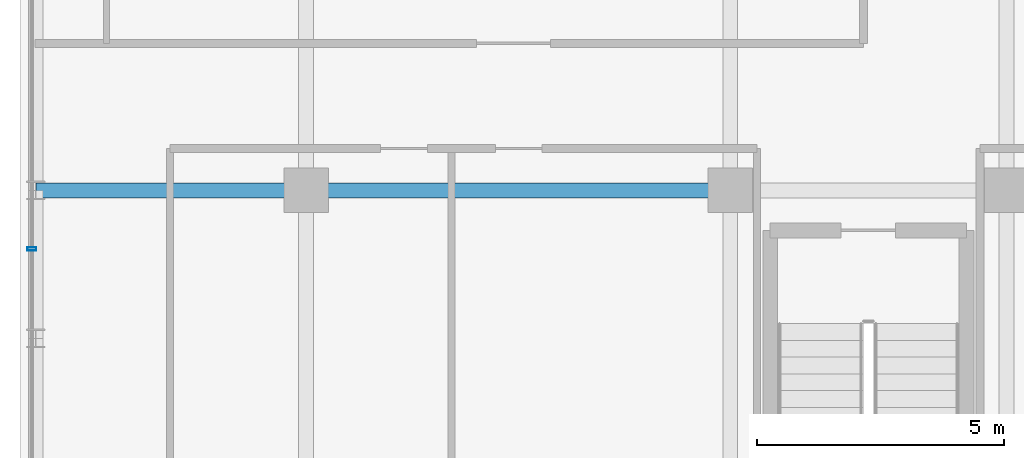
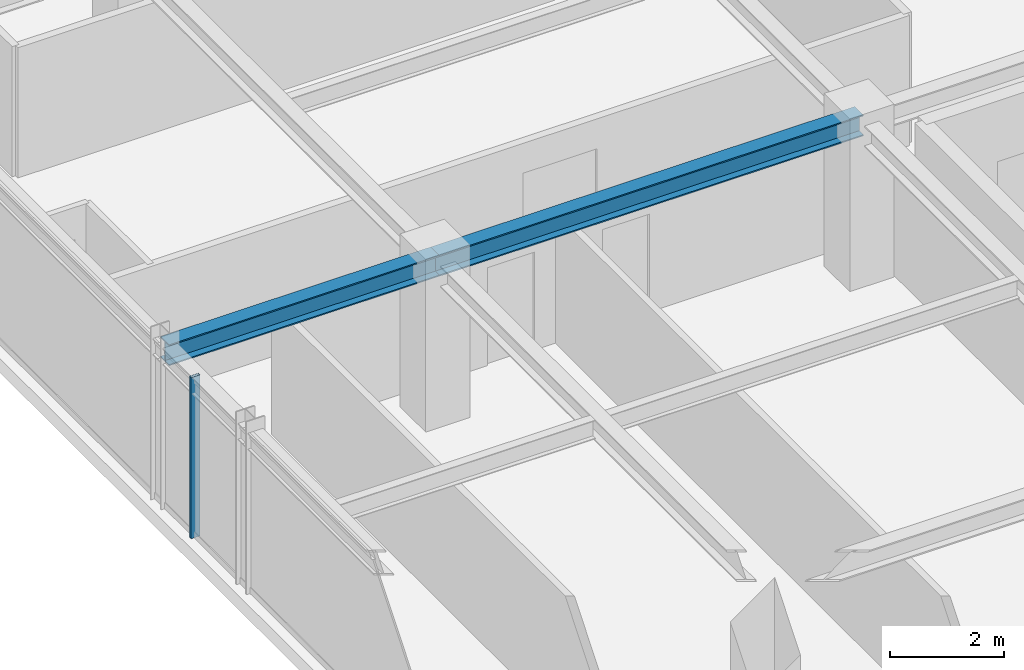
# One storey, part 9 of 33: 2 beams, 1 member, 1 element without a shape of its own.
"""IFC4 building model written with IfcOpenShell, lengths in metres."""

from ifc_helpers import new_model, si_unit, direction, frame, origin, origin_2d, place, context, subcontext, project, spatial, hollow_rectangle, i_section, extrude, source, transform, mapped, material, material_profile, profile_set, type_object, element, aggregate, save


model = new_model("IFC4")

# Units and contexts
model_context = context("Model", 3, precision=1e-05, world=origin(), true_north=direction((0.0, 1.0)))
body_context = subcontext(model_context, "Body", "Model", "MODEL_VIEW")
ifc_project = project(units=[si_unit("LENGTHUNIT", "METRE"), si_unit("AREAUNIT", "SQUARE_METRE"), si_unit("VOLUMEUNIT", "CUBIC_METRE"), si_unit("PLANEANGLEUNIT", "RADIAN"), si_unit("MASSUNIT", "GRAM", prefix="KILO")], contexts=[model_context])

# Site, building, storey
site_placement = place(None, origin())
site = spatial("IfcSite", under=ifc_project, at=site_placement, CompositionType="ELEMENT")
building_placement = place(site_placement, origin())
building = spatial("IfcBuilding", under=site, at=building_placement, Name="Nahalor Promenade Grand Hotel", CompositionType="ELEMENT")
storey_placement = place(building_placement, frame((0.0, 0.0, 270.050048828125)))
storey = spatial("IfcBuildingStorey", under=building, at=storey_placement, Name="L69", CompositionType="ELEMENT", Elevation=270.050048828125)

# Beams
ifc_material_1 = material(Name="Steel S355JR", Category="steel")
ifc_material_profile_1 = material_profile(ifc_material_1, i_section(OverallWidth=0.3, OverallDepth=0.45, WebThickness=0.014, FlangeThickness=0.026, at=origin_2d()), Name="HEB 450")
ifc_profile_set_1 = profile_set([ifc_material_profile_1], Name="Steel S355JR")
beam_type = type_object("IfcBeamType", Name="Beam-Girder-HEB450", PredefinedType="BEAM", material=ifc_profile_set_1)
shared_shape_1 = source(origin(), body_context, "Body", "SweptSolid", [
    extrude(i_section(OverallWidth=0.3, OverallDepth=0.45, WebThickness=0.014, FlangeThickness=0.026, at=origin_2d()), origin(), (0.0, 0.0, 1.0), 8.60009765625),
])
beam_1_placement = place(storey_placement, frame((-17.0, -5.39990234375, 3.224853515625), z_axis=(1.0, 0.0, 0.0), x_axis=(0.0, 1.0, 0.0)))
element("IfcBeam", 1, at=beam_1_placement, inside=storey, type_object=beam_type, Name="BM-L69-GX-1-1", PredefinedType="BEAM", context=body_context, shape_type="MappedRepresentation", body=[
    mapped(shared_shape_1, transform((0.0, 0.0, 0.0), scale=1.0)),
])
shared_shape_2 = source(origin(), body_context, "Body", "SweptSolid", [
    extrude(i_section(OverallWidth=0.3, OverallDepth=0.45, WebThickness=0.014, FlangeThickness=0.026, at=origin_2d()), origin(), (0.0, 0.0, 1.0), 5.47998046875),
])
beam_2_placement = place(storey_placement, frame((-22.47998046875, -5.39990234375, 3.224853515625), z_axis=(1.0, 0.0, 0.0), x_axis=(0.0, 1.0, 0.0)))
element("IfcBeam", 2, at=beam_2_placement, inside=storey, type_object=beam_type, Name="BM-L69-GX-1-0", PredefinedType="BEAM", context=body_context, shape_type="MappedRepresentation", body=[
    mapped(shared_shape_2, transform((0.0, 0.0, 0.0), scale=1.0)),
])

# Curtain wall, member
ifc_material_2 = material(Name="Anodised Bronze Aluminium EN AW-6063 T6", Category="aluminium")
curtain_wall_type = type_object("IfcCurtainWallType", Name="CW2 Typical Hotel Flush Bronze Unitised Curtain Wall", PredefinedType="USERDEFINED", material=ifc_material_2)
curtain_wall_placement = place(storey_placement, origin())
curtain_wall = element("IfcCurtainWall", 3, at=curtain_wall_placement, inside=storey, type_object=curtain_wall_type, Name="L69 Curtain Wall CW-L69-W-1", ObjectType="UNITISED_CURTAIN_WALL", PredefinedType="USERDEFINED")
ifc_material_profile_2 = material_profile(ifc_material_2, hollow_rectangle(XDim=0.065, YDim=0.18, WallThickness=0.004, at=origin_2d()), Name="CWM 65x180x4")
ifc_profile_set_2 = profile_set([ifc_material_profile_2], Name="Anodised Bronze Aluminium EN AW-6063 T6")
member_type = type_object("IfcMemberType", Name="CWM2 Typical Bronze Mullion 65x180", PredefinedType="MULLION", material=ifc_profile_set_2)
shared_shape_3 = source(origin(), body_context, "Body", "SweptSolid", [
    extrude(hollow_rectangle(XDim=0.065, YDim=0.18, WallThickness=0.004, at=origin_2d()), origin(), (0.0, 0.0, 1.0), 3.449951171875),
])
member_placement = place(storey_placement, frame((-22.56005859375, -6.586669921875, 0.0), z_axis=(0.0, 0.0, 1.0), x_axis=(0.0, 1.0, 0.0)))
member = element("IfcMember", 4, at=member_placement, type_object=member_type, Name="CW-L69-W-1 Mullion 1", PredefinedType="MULLION", context=body_context, shape_type="MappedRepresentation", body=[
    mapped(shared_shape_3, transform((0.0, 0.0, 0.0), scale=1.0)),
])
aggregate(curtain_wall, [member])

save(model, "model.ifc")
